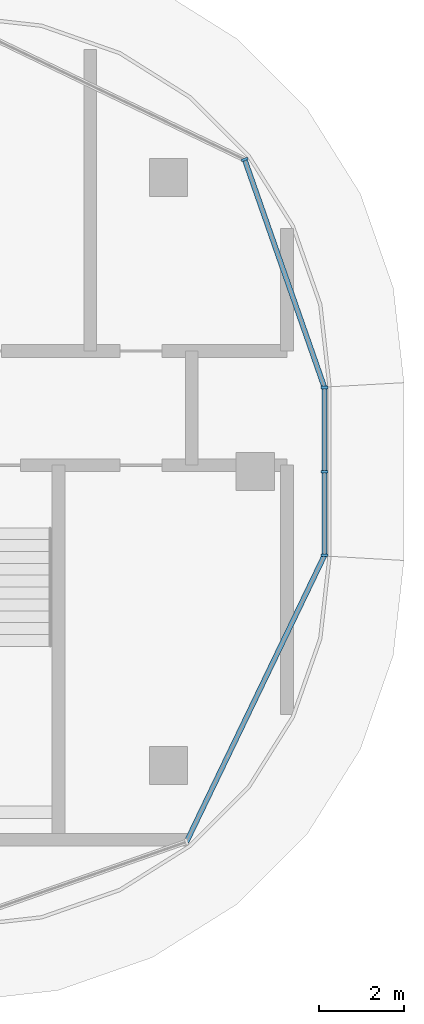
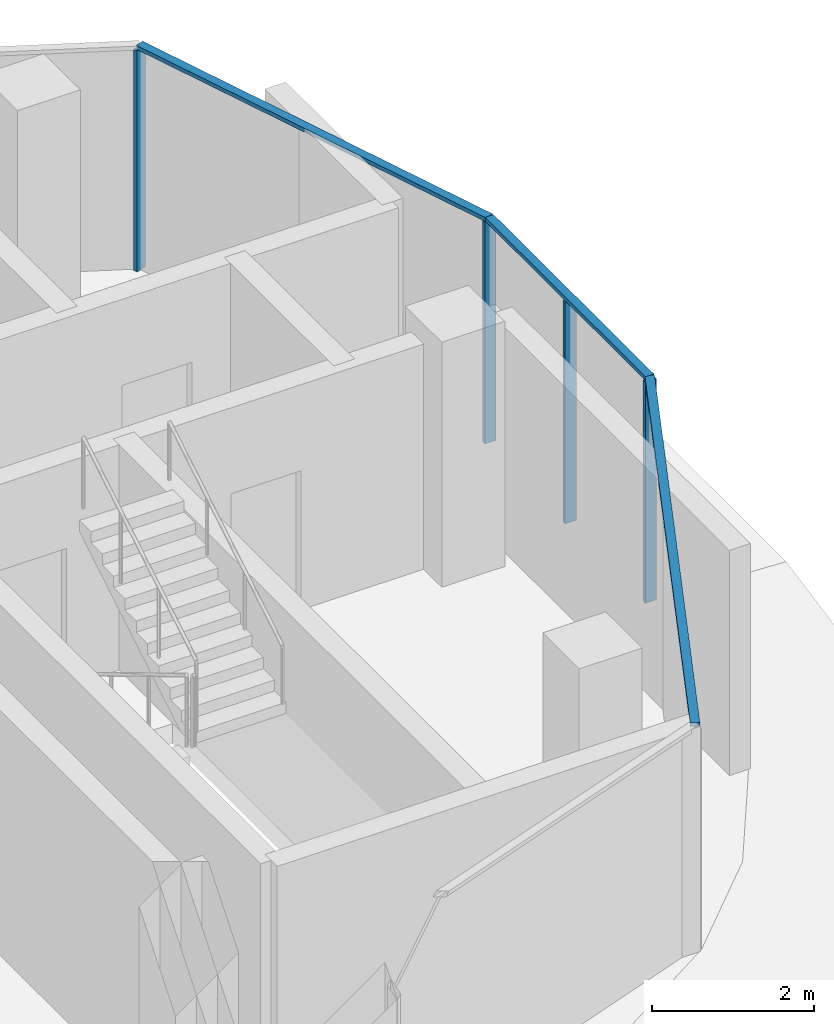
# One storey, part 7 of 20: 7 members, 3 elements without a shape of their own.
"""IFC4 building model written with IfcOpenShell, lengths in metres."""

from ifc_helpers import new_model, si_unit, direction, frame, origin, origin_2d, place, context, subcontext, project, spatial, rectangle, extrude, material, material_profile, profile_set, type_object, element, aggregate, save


model = new_model("IFC4")

# Units and contexts
model_context = context("Model", 3, precision=1e-05, world=origin(), true_north=direction((0.0, 1.0)))
body_context = subcontext(model_context, "Body", "Model", "MODEL_VIEW")
ifc_project = project(units=[si_unit("LENGTHUNIT", "METRE"), si_unit("AREAUNIT", "SQUARE_METRE"), si_unit("VOLUMEUNIT", "CUBIC_METRE"), si_unit("PLANEANGLEUNIT", "RADIAN"), si_unit("MASSUNIT", "GRAM", prefix="KILO")], contexts=[model_context])

# Site, building, storey
site_placement = place(None, origin())
site = spatial("IfcSite", under=ifc_project, at=site_placement, CompositionType="ELEMENT")
building_placement = place(site_placement, origin())
building = spatial("IfcBuilding", under=site, at=building_placement, Name="Ogive Portal Towers", CompositionType="ELEMENT")
storey_placement = place(building_placement, frame((0.0, 0.0, 195.800048828125)))
storey = spatial("IfcBuildingStorey", under=building, at=storey_placement, Name="L48", CompositionType="ELEMENT", Elevation=195.800048828125)

# Curtain wall, members
ifc_material_1 = material(Name="Glass, clear low-iron insulated glazing", Category="glass")
curtain_wall_type = type_object("IfcCurtainWallType", Name="CW FRONT RIBBON 4500", PredefinedType="NOTDEFINED", material=ifc_material_1)
curtain_wall_1_placement = place(storey_placement, origin())
curtain_wall_1 = element("IfcCurtainWall", 1, at=curtain_wall_1_placement, inside=storey, type_object=curtain_wall_type, Name="A:L48:f10:cw0", PredefinedType="NOTDEFINED")
ifc_material_2 = material(Name="Aluminium 6063 anodised", Category="aluminium")
ifc_material_profile_1 = material_profile(ifc_material_2, rectangle(XDim=0.159912109375, YDim=0.06005859375, at=origin_2d()), Name="AL 60x160")
ifc_profile_set_1 = profile_set([ifc_material_profile_1], Name="Aluminium 6063 anodised")
member_type_1 = type_object("IfcMemberType", Name="CW MULLION 60x160", PredefinedType="MULLION", material=ifc_profile_set_1)
member_1_placement = place(storey_placement, frame((96.135009765625, 28.518310546875, 0.0), z_axis=(0.0, 0.0, 1.0), x_axis=(-1.0, 0.0, 0.0)))
member_1 = element("IfcMember", 2, at=member_1_placement, type_object=member_type_1, Name="mullion", PredefinedType="MULLION", context=body_context, shape_type="SweptSolid", body=[
    extrude(rectangle(XDim=0.159912109375, YDim=0.06005859375, at=origin_2d()), origin(), (0.0, 0.0, 1.0), 3.33984375),
])
member_2_placement = place(storey_placement, frame((96.135009765625, 30.5, 0.0), z_axis=(0.0, 0.0, 1.0), x_axis=(-1.0, 0.0, 0.0)))
member_2 = element("IfcMember", 3, at=member_2_placement, type_object=member_type_1, Name="mullion", PredefinedType="MULLION", context=body_context, shape_type="SweptSolid", body=[
    extrude(rectangle(XDim=0.159912109375, YDim=0.06005859375, at=origin_2d()), origin(), (0.0, 0.0, 1.0), 3.33984375),
])
member_3_placement = place(storey_placement, frame((96.135009765625, 32.486328125, 0.0), z_axis=(0.0, 0.0, 1.0), x_axis=(-1.0, 0.0, 0.0)))
member_3 = element("IfcMember", 4, at=member_3_placement, type_object=member_type_1, Name="mullion", PredefinedType="MULLION", context=body_context, shape_type="SweptSolid", body=[
    extrude(rectangle(XDim=0.159912109375, YDim=0.06005859375, at=origin_2d()), origin(), (0.0, 0.0, 1.0), 3.33984375),
])

# Curtain wall, member
curtain_wall_2_placement = place(storey_placement, origin())
curtain_wall_2 = element("IfcCurtainWall", 5, at=curtain_wall_2_placement, inside=storey, type_object=curtain_wall_type, Name="A:L48:f11:cwa", PredefinedType="NOTDEFINED")
member_4_placement = place(storey_placement, frame((94.2490234375, 37.8759765625, 0.0), z_axis=(0.0, 0.0, 1.0), x_axis=(-0.943883330307, -0.33027906196, 0.0)))
member_4 = element("IfcMember", 6, at=member_4_placement, type_object=member_type_1, Name="mullion", PredefinedType="MULLION", context=body_context, shape_type="SweptSolid", body=[
    extrude(rectangle(XDim=0.159912109375, YDim=0.06005859375, at=origin_2d()), origin(), (0.0, 0.0, 1.0), 3.33984375),
])

# Member
ifc_material_profile_2 = material_profile(ifc_material_2, rectangle(XDim=0.1201171875, YDim=0.06005859375, at=origin_2d()), Name="AL 120x60")
ifc_profile_set_2 = profile_set([ifc_material_profile_2], Name="Aluminium 6063 anodised")
member_type_2 = type_object("IfcMemberType", Name="CW TRANSOM 60x120", PredefinedType="USERDEFINED", material=ifc_profile_set_2)
member_5_placement = place(storey_placement, frame((96.135009765625, 28.518310546875, 3.369873046875), z_axis=(0.0, 1.0, 0.0), x_axis=(-1.0, 0.0, 0.0)))
member_5 = element("IfcMember", 7, at=member_5_placement, type_object=member_type_2, Name="transom", ObjectType="TRANSOM", PredefinedType="USERDEFINED", context=body_context, shape_type="SweptSolid", body=[
    extrude(rectangle(XDim=0.1201171875, YDim=0.06005859375, at=origin_2d()), origin(), (0.0, 0.0, 1.0), 3.968017578125),
])

aggregate(curtain_wall_1, [member_5, member_1, member_2, member_3])

# Curtain wall, member
curtain_wall_3_placement = place(storey_placement, origin())
curtain_wall_3 = element("IfcCurtainWall", 8, at=curtain_wall_3_placement, inside=storey, type_object=curtain_wall_type, Name="A:L48:f08:cwa", PredefinedType="NOTDEFINED")
member_6_placement = place(storey_placement, frame((92.8759765625, 21.7509765625, 3.369873046875), z_axis=(0.433889890445, 0.900965905554, 0.0), x_axis=(-0.900965905554, 0.433889890445, 0.0)))
member_6 = element("IfcMember", 9, at=member_6_placement, type_object=member_type_2, Name="transom", ObjectType="TRANSOM", PredefinedType="USERDEFINED", context=body_context, shape_type="SweptSolid", body=[
    extrude(rectangle(XDim=0.1201171875, YDim=0.06005859375, at=origin_2d()), origin(), (0.0, 0.0, 1.0), 7.51123046875),
])
aggregate(curtain_wall_3, [member_6])

# Member
member_7_placement = place(storey_placement, frame((96.135009765625, 32.486328125, 3.369873046875), z_axis=(-0.330289480189, 0.943879684746, 0.0), x_axis=(-0.943879684746, -0.330289480189, 0.0)))
member_7 = element("IfcMember", 10, at=member_7_placement, type_object=member_type_2, Name="transom", ObjectType="TRANSOM", PredefinedType="USERDEFINED", context=body_context, shape_type="SweptSolid", body=[
    extrude(rectangle(XDim=0.1201171875, YDim=0.06005859375, at=origin_2d()), origin(), (0.0, 0.0, 1.0), 5.710205078125),
])

aggregate(curtain_wall_2, [member_7, member_4])

save(model, "model.ifc")
